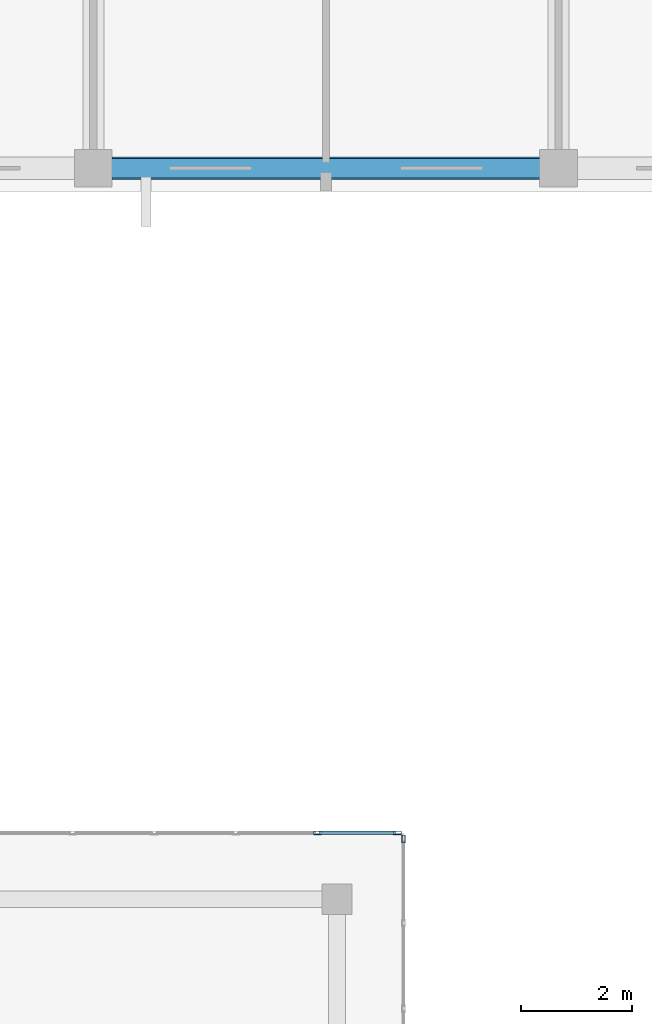
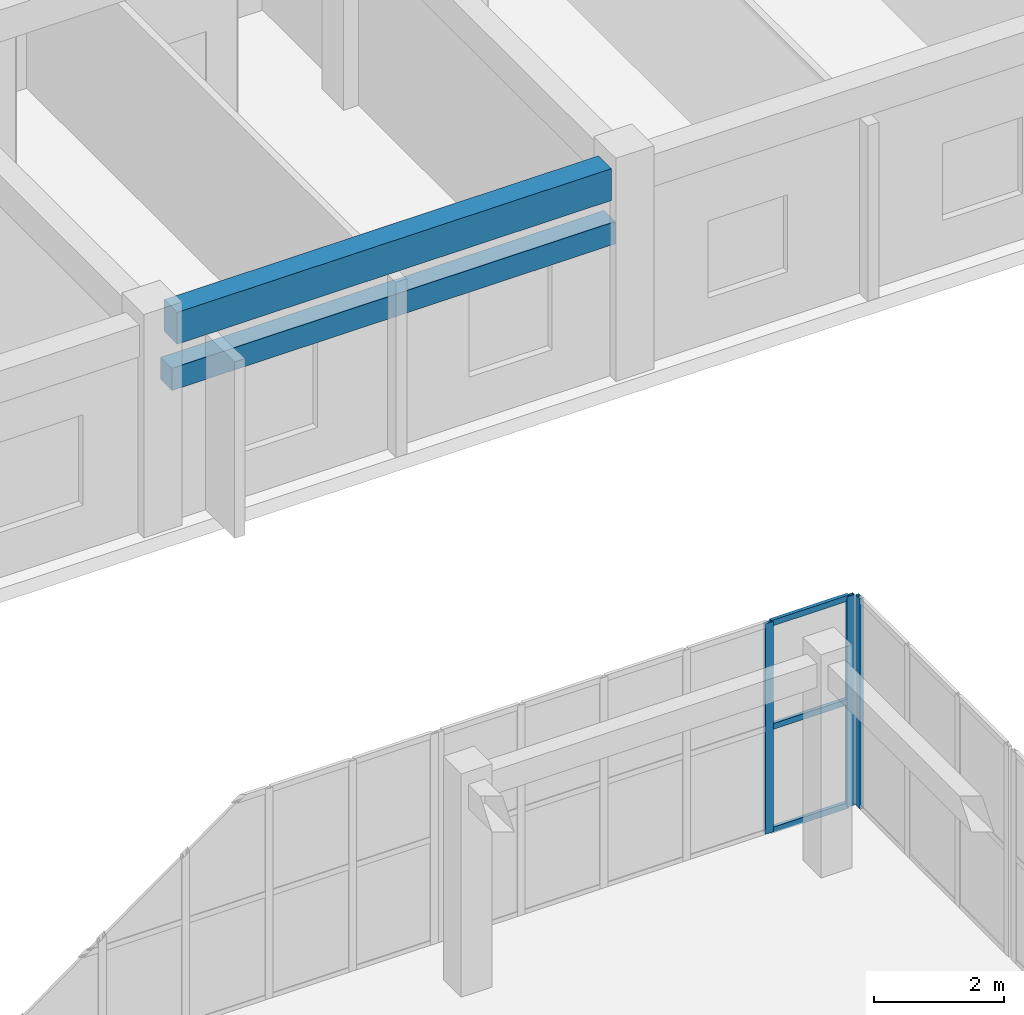
# One storey, part 79 of 140: 6 members, 2 beams, 2 elements without a shape of their own.
"""IFC4 building model written with IfcOpenShell, lengths in metres."""

from ifc_helpers import new_model, si_unit, direction, frame, origin, origin_2d, place, context, subcontext, project, spatial, rectangle, hollow_rectangle, extrude, material, layer, layer_set, material_profile, profile_set, type_object, element, aggregate, save


model = new_model("IFC4")

# Units and contexts
model_context = context("Model", 3, precision=1e-05, world=origin(), true_north=direction((0.0, 1.0)))
body_context = subcontext(model_context, "Body", "Model", "MODEL_VIEW")
ifc_project = project(units=[si_unit("LENGTHUNIT", "METRE"), si_unit("AREAUNIT", "SQUARE_METRE"), si_unit("VOLUMEUNIT", "CUBIC_METRE"), si_unit("PLANEANGLEUNIT", "RADIAN"), si_unit("MASSUNIT", "GRAM", prefix="KILO")], contexts=[model_context])

# Site, building, storey
site_placement = place(None, origin())
site = spatial("IfcSite", under=ifc_project, at=site_placement, CompositionType="ELEMENT")
building_placement = place(site_placement, origin())
building = spatial("IfcBuilding", under=site, at=building_placement, Name="Trelvath General Hospital", CompositionType="ELEMENT")
storey_placement = place(building_placement, frame((0.0, 0.0, 16.199951171875)))
storey = spatial("IfcBuildingStorey", under=building, at=storey_placement, Name="L04", CompositionType="ELEMENT", Elevation=16.199951171875)

# Beam
ifc_material_1 = material(Name="Concrete C35/45", Category="concrete")
ifc_material_profile_1 = material_profile(ifc_material_1, rectangle(XDim=0.39990234375, YDim=0.60009765625, at=origin_2d()), Name="RCB400x600")
ifc_profile_set_1 = profile_set([ifc_material_profile_1], Name="Concrete C35/45")
beam_type_1 = type_object("IfcBeamType", Name="Beam RC400x600", PredefinedType="BEAM", material=ifc_profile_set_1)
beam_1_placement = place(storey_placement, frame((109.534912109375, 92.39990234375, 3.6201171875), z_axis=(1.0, 0.0, 0.0), x_axis=(0.0, 1.0, 0.0)))
element("IfcBeam", 1, at=beam_1_placement, inside=storey, type_object=beam_type_1, Name="Grid Beam BX-413L", PredefinedType="BEAM", context=body_context, shape_type="SweptSolid", body=[
    extrude(rectangle(XDim=0.39990234375, YDim=0.60009765625, at=origin_2d()), origin(), (0.0, 0.0, 1.0), 7.72998046875),
])

# Curtain wall, members
ifc_material_2 = material(Name="Anodised aluminium and low-E glass", Category="aluminium")
ifc_layer_1 = layer(ifc_material_2, 0.139892578125)
ifc_layer_set_1 = layer_set([ifc_layer_1], Name="Anodised aluminium and low-E glass")
curtain_wall_type_1 = type_object("IfcCurtainWallType", Name="CW CrystalCube 737 396 14", PredefinedType="USERDEFINED", material=ifc_layer_set_1)
curtain_wall_1_placement = place(storey_placement, origin())
curtain_wall_1 = element("IfcCurtainWall", 2, at=curtain_wall_1_placement, inside=storey, type_object=curtain_wall_type_1, Name="Crystal Cube Curtain Wall CUBE-E-T1 N3 L04", ObjectType="Unitised Glazed Curtain Wall", PredefinedType="USERDEFINED")
ifc_material_3 = material(Name="Anodised aluminium", Category="aluminium")
ifc_material_profile_2 = material_profile(ifc_material_3, hollow_rectangle(XDim=0.06005859375, YDim=0.139892578125, WallThickness=0.00390625, at=origin_2d()), Name="RHS60x140x4")
ifc_profile_set_2 = profile_set([ifc_material_profile_2], Name="Anodised aluminium")
member_type_1 = type_object("IfcMemberType", Name="CurtainMullion 60x140", PredefinedType="MULLION", material=ifc_profile_set_2)
member_1_placement = place(storey_placement, frame((113.24658203125, 80.39990234375, 0.0), z_axis=(0.0, 0.0, 1.0), x_axis=(0.0, 1.0, 0.0)))
member_1 = element("IfcMember", 3, at=member_1_placement, type_object=member_type_1, Name="CW-287 mullion 5", PredefinedType="MULLION", context=body_context, shape_type="SweptSolid", body=[
    extrude(hollow_rectangle(XDim=0.06005859375, YDim=0.139892578125, WallThickness=0.00390625, at=origin_2d()), origin(), (0.0, 0.0, 1.0), 3.9599609375),
])
member_2_placement = place(storey_placement, frame((114.68994140625, 80.39990234375, 0.0), z_axis=(0.0, 0.0, 1.0), x_axis=(0.0, 1.0, 0.0)))
member_2 = element("IfcMember", 4, at=member_2_placement, type_object=member_type_1, Name="CW-287 mullion 6", PredefinedType="MULLION", context=body_context, shape_type="SweptSolid", body=[
    extrude(hollow_rectangle(XDim=0.06005859375, YDim=0.139892578125, WallThickness=0.00390625, at=origin_2d()), origin(), (0.0, 0.0, 1.0), 3.9599609375),
])

# Curtain wall, member
ifc_material_4 = material(Name="Anodised aluminium and low-E glass", Category="aluminium")
ifc_layer_2 = layer(ifc_material_4, 0.139892578125)
ifc_layer_set_2 = layer_set([ifc_layer_2], Name="Anodised aluminium and low-E glass")
curtain_wall_type_2 = type_object("IfcCurtainWallType", Name="CW CrystalCube 464 396 14", PredefinedType="USERDEFINED", material=ifc_layer_set_2)
curtain_wall_2_placement = place(storey_placement, origin())
curtain_wall_2 = element("IfcCurtainWall", 5, at=curtain_wall_2_placement, inside=storey, type_object=curtain_wall_type_2, Name="Crystal Cube Curtain Wall CUBE-E-T1 E5 L04", ObjectType="Unitised Glazed Curtain Wall", PredefinedType="USERDEFINED")
member_3_placement = place(storey_placement, frame((114.800048828125, 80.2900390625, 0.0), z_axis=(0.0, 0.0, 1.0), x_axis=(1.0, 0.0, 0.0)))
member_3 = element("IfcMember", 6, at=member_3_placement, type_object=member_type_1, Name="CW-294 mullion 1", PredefinedType="MULLION", context=body_context, shape_type="SweptSolid", body=[
    extrude(hollow_rectangle(XDim=0.06005859375, YDim=0.139892578125, WallThickness=0.00390625, at=origin_2d()), origin(), (0.0, 0.0, 1.0), 3.9599609375),
])
aggregate(curtain_wall_2, [member_3])

# Member
ifc_material_5 = material(Name="Anodised aluminium", Category="aluminium")
ifc_material_profile_3 = material_profile(ifc_material_5, hollow_rectangle(XDim=0.06005859375, YDim=0.110107421875, WallThickness=0.00390625, at=origin_2d()), Name="RHS60x110x4")
ifc_profile_set_3 = profile_set([ifc_material_profile_3], Name="Anodised aluminium")
member_type_2 = type_object("IfcMemberType", Name="CurtainTransom 60x110", PredefinedType="USERDEFINED", material=ifc_profile_set_3)
member_4_placement = place(storey_placement, frame((113.276611328125, 80.39990234375, 0.030029296875), z_axis=(1.0, 0.0, 0.0), x_axis=(0.0, 1.0, 0.0)))
member_4 = element("IfcMember", 7, at=member_4_placement, type_object=member_type_2, Name="CW-287 transom 5.1", ObjectType="TRANSOM", PredefinedType="USERDEFINED", context=body_context, shape_type="SweptSolid", body=[
    extrude(hollow_rectangle(XDim=0.06005859375, YDim=0.110107421875, WallThickness=0.00390625, at=origin_2d()), origin(), (0.0, 0.0, 1.0), 1.38330078125),
])

member_5_placement = place(storey_placement, frame((113.276611328125, 80.39990234375, 1.97998046875), z_axis=(1.0, 0.0, 0.0), x_axis=(0.0, 1.0, 0.0)))
member_5 = element("IfcMember", 8, at=member_5_placement, type_object=member_type_2, Name="CW-287 transom 5.2", ObjectType="TRANSOM", PredefinedType="USERDEFINED", context=body_context, shape_type="SweptSolid", body=[
    extrude(hollow_rectangle(XDim=0.06005859375, YDim=0.110107421875, WallThickness=0.00390625, at=origin_2d()), origin(), (0.0, 0.0, 1.0), 1.38330078125),
])

member_6_placement = place(storey_placement, frame((113.276611328125, 80.39990234375, 3.929931640625), z_axis=(1.0, 0.0, 0.0), x_axis=(0.0, 1.0, 0.0)))
member_6 = element("IfcMember", 9, at=member_6_placement, type_object=member_type_2, Name="CW-287 transom 5.3", ObjectType="TRANSOM", PredefinedType="USERDEFINED", context=body_context, shape_type="SweptSolid", body=[
    extrude(hollow_rectangle(XDim=0.06005859375, YDim=0.110107421875, WallThickness=0.00390625, at=origin_2d()), origin(), (0.0, 0.0, 1.0), 1.38330078125),
])

aggregate(curtain_wall_1, [member_1, member_2, member_4, member_5, member_6])

# Beam
ifc_material_6 = material(Name="Precast concrete C40/50", Category="concrete")
ifc_material_profile_4 = material_profile(ifc_material_6, rectangle(XDim=0.35009765625, YDim=0.419921875, at=origin_2d()), Name="PCL350x420")
ifc_profile_set_4 = profile_set([ifc_material_profile_4], Name="Precast concrete C40/50")
beam_type_2 = type_object("IfcBeamType", Name="Lintel PC350x420", PredefinedType="LINTEL", material=ifc_profile_set_4)
beam_2_placement = place(storey_placement, frame((117.344970703125, 92.39990234375, 2.670166015625), z_axis=(-1.0, 0.0, 0.0), x_axis=(0.0, -1.0, 0.0)))
element("IfcBeam", 10, at=beam_2_placement, inside=storey, type_object=beam_type_2, Name="Precast Window Brow Lintel L04-479", PredefinedType="LINTEL", context=body_context, shape_type="SweptSolid", body=[
    extrude(rectangle(XDim=0.35009765625, YDim=0.419921875, at=origin_2d()), origin(), (0.0, 0.0, 1.0), 7.889892578125),
])

save(model, "model.ifc")
